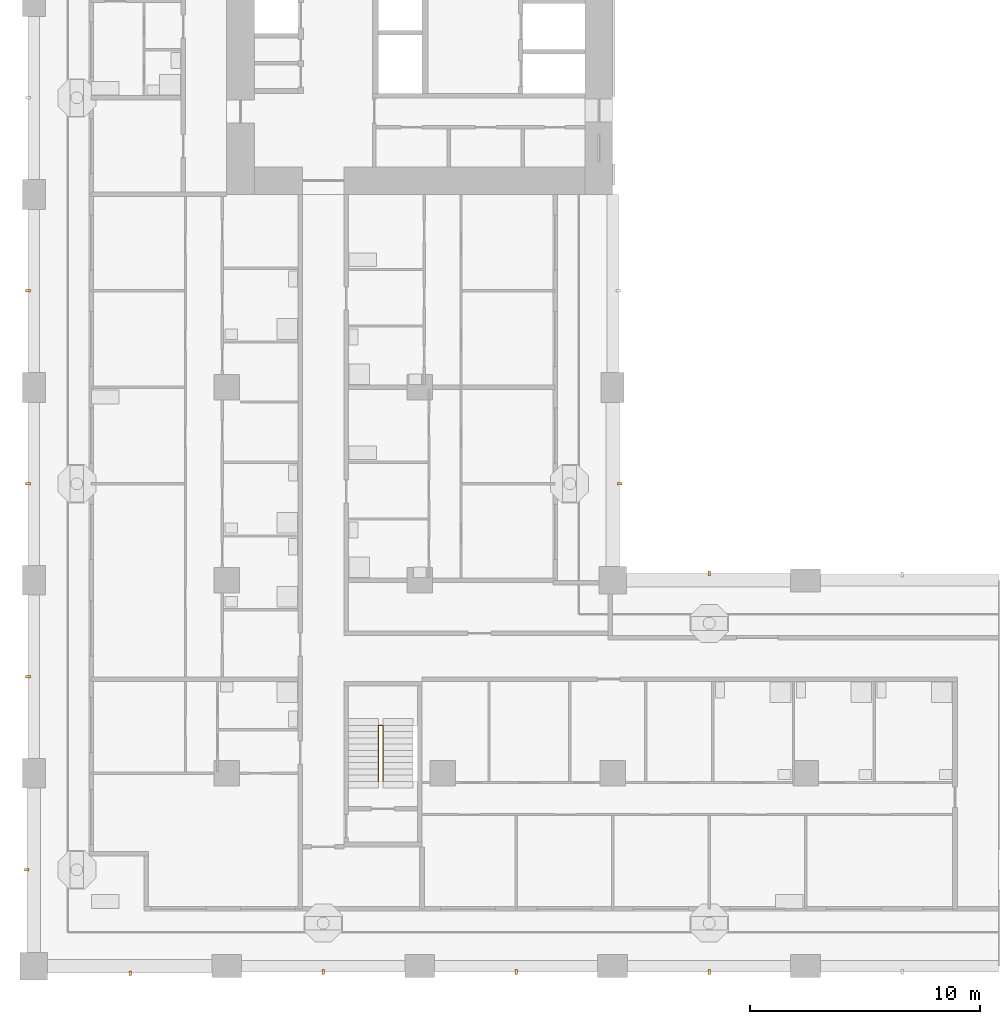
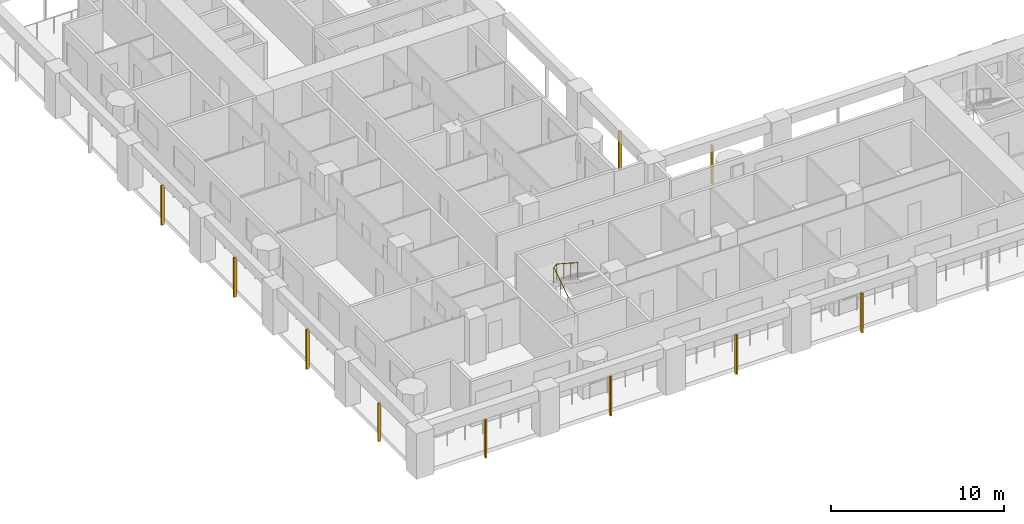
# One storey, part 10 of 19: 10 shading devices, 1 railing.
"""IFC4 building model written with IfcOpenShell, lengths in metres."""

from ifc_helpers import new_model, si_unit, direction, frame, origin, origin_2d, place, context, subcontext, project, spatial, rectangle, circle, extrude, material, material_profile, profile_set, type_object, element, save


model = new_model("IFC4")

# Units and contexts
model_context = context("Model", 3, precision=1e-05, world=origin(), true_north=direction((0.0, 1.0)))
body_context = subcontext(model_context, "Body", "Model", "MODEL_VIEW")
ifc_project = project(units=[si_unit("LENGTHUNIT", "METRE"), si_unit("AREAUNIT", "SQUARE_METRE"), si_unit("VOLUMEUNIT", "CUBIC_METRE"), si_unit("PLANEANGLEUNIT", "RADIAN"), si_unit("MASSUNIT", "GRAM", prefix="KILO")], contexts=[model_context])

# Site, building, storey
site_placement = place(None, origin())
site = spatial("IfcSite", under=ifc_project, at=site_placement, CompositionType="ELEMENT")
building_placement = place(site_placement, origin())
building = spatial("IfcBuilding", under=site, at=building_placement, Name="Vermilion Gate Residences", CompositionType="ELEMENT")
storey_placement = place(building_placement, frame((0.0, 0.0, 123.199951171875)))
storey = spatial("IfcBuildingStorey", under=building, at=storey_placement, Name="L31", CompositionType="ELEMENT", Elevation=123.199951171875)

# Railing
ifc_material_1 = material(Name="Steel S355", Category="steel")
railing_type = type_object("IfcRailingType", Name="STAIR GUARD 1100 STEEL", PredefinedType="GUARDRAIL", material=ifc_material_1)
railing_placement = place(storey_placement, frame((15.0, 16.449951171875, 0.175048828125)))
element("IfcRailing", 1, at=railing_placement, inside=storey, type_object=railing_type, Name="Stair well guard STC1-31", PredefinedType="GUARDRAIL", context=body_context, shape_type="SweptSolid", body=[
    extrude(circle(Radius=0.02392578125, at=origin_2d()), frame((0.0, 0.0, 1.076171875), z_axis=(0.0, 0.839153699163, 0.543894354798), x_axis=(-1.0, 0.0, 0.0)), (0.0, 0.0, 1.0), 2.895751953125),
    extrude(circle(Radius=0.02392578125, at=origin_2d()), frame((0.0, 2.429931640625, 2.65087890625), z_axis=(0.752405939678, 0.0, 0.658699705433), x_axis=(0.0, 1.0, 0.0)), (0.0, 0.0, 1.0), 0.265869140625),
    extrude(circle(Radius=0.02392578125, at=origin_2d()), frame((0.199951171875, 2.429931640625, 2.826171875), z_axis=(0.0, -0.839153699163, 0.543894354798), x_axis=(1.0, 0.0, 0.0)), (0.0, 0.0, 1.0), 2.895751953125),
    extrude(circle(Radius=0.02099609375, at=origin_2d()), origin(), (0.0, 0.0, 1.0), 1.052001953125),
    extrude(circle(Radius=0.02099609375, at=origin_2d()), frame((0.0, 0.81005859375, 0.52490234375)), (0.0, 0.0, 1.0), 1.052001953125),
    extrude(circle(Radius=0.02099609375, at=origin_2d()), frame((0.0, 1.619873046875, 1.050048828125)), (0.0, 0.0, 1.0), 1.052001953125),
    extrude(circle(Radius=0.02099609375, at=origin_2d()), frame((0.0, 2.429931640625, 1.574951171875)), (0.0, 0.0, 1.0), 1.052001953125),
    extrude(circle(Radius=0.02099609375, at=origin_2d()), frame((0.199951171875, 2.429931640625, 1.75)), (0.0, 0.0, 1.0), 1.052001953125),
    extrude(circle(Radius=0.02099609375, at=origin_2d()), frame((0.199951171875, 1.619873046875, 2.27490234375)), (0.0, 0.0, 1.0), 1.052001953125),
    extrude(circle(Radius=0.02099609375, at=origin_2d()), frame((0.199951171875, 0.81005859375, 2.800048828125)), (0.0, 0.0, 1.0), 1.052001953125),
    extrude(circle(Radius=0.02099609375, at=origin_2d()), frame((0.199951171875, 0.0, 3.324951171875)), (0.0, 0.0, 1.0), 1.052001953125),
])

# Shading devices
ifc_material_2 = material(Name="Extruded terracotta", Category="masonry")
ifc_material_profile = material_profile(ifc_material_2, rectangle(XDim=0.199951171875, YDim=0.10009765625, at=origin_2d()), Name="BAGUETTE 100 X 200")
ifc_profile_set = profile_set([ifc_material_profile], Name="Extruded terracotta")
shading_device_type = type_object("IfcShadingDeviceType", Name="TERRACOTTA BAGUETTE 100 X 200", PredefinedType="JALOUSIE", material=ifc_profile_set)
shading_device_placement = place(storey_placement, frame((4.199951171875, 8.10009765625, -0.280029296875), z_axis=(0.0, 0.0, 1.0), x_axis=(0.0, 1.0, 0.0)))
element("IfcShadingDevice", 2, at=shading_device_placement, inside=storey, type_object=shading_device_type, Name="BAGUETTE", PredefinedType="JALOUSIE", context=body_context, shape_type="SweptSolid", body=[
    extrude(rectangle(XDim=0.199951171875, YDim=0.10009765625, at=origin_2d()), origin(), (0.0, 0.0, 1.0), 2.7001953125),
])
for number, where, z_axis, x_axis, name in (
    (3, (12.60009765625, 8.14990234375, -0.280029296875), (0.0, 0.0, 1.0), (0.0, 1.0, 0.0), "BAGUETTE"),
    (4, (21.0, 8.14990234375, -0.280029296875), (0.0, 0.0, 1.0), (0.0, 1.0, 0.0), "BAGUETTE"),
    (5, (29.39990234375, 8.14990234375, -0.280029296875), (0.0, 0.0, 1.0), (0.0, 1.0, 0.0), "BAGUETTE"),
):
    element("IfcShadingDevice", number, at=place(storey_placement, frame(where, z_axis=z_axis, x_axis=x_axis)), inside=storey, type_object=shading_device_type, Name=name, PredefinedType="JALOUSIE", context=body_context, shape_type="SweptSolid", body=[
        extrude(rectangle(XDim=0.199951171875, YDim=0.10009765625, at=origin_2d()), origin(), (0.0, 0.0, 1.0), 2.800048828125),
    ])
for number, where, z_axis, x_axis, name in (
    (6, (29.39990234375, 25.5, -0.280029296875), (0.0, 0.0, 1.0), (0.0, -1.0, 0.0), "BAGUETTE"),
    (7, (25.5, 29.39990234375, -0.280029296875), (0.0, 0.0, 1.0), (-1.0, 0.0, 0.0), "BAGUETTE"),
    (8, (-0.300048828125, 12.60009765625, -0.280029296875), (0.0, 0.0, 1.0), (1.0, 0.0, 0.0), "BAGUETTE"),
):
    element("IfcShadingDevice", number, at=place(storey_placement, frame(where, z_axis=z_axis, x_axis=x_axis)), inside=storey, type_object=shading_device_type, Name=name, PredefinedType="JALOUSIE", context=body_context, shape_type="SweptSolid", body=[
        extrude(rectangle(XDim=0.199951171875, YDim=0.10009765625, at=origin_2d()), origin(), (0.0, 0.0, 1.0), 2.7001953125),
    ])
for number, where, z_axis, x_axis, name in (
    (9, (-0.25, 21.0, -0.280029296875), (0.0, 0.0, 1.0), (1.0, 0.0, 0.0), "BAGUETTE"),
    (10, (-0.25, 29.39990234375, -0.280029296875), (0.0, 0.0, 1.0), (1.0, 0.0, 0.0), "BAGUETTE"),
    (11, (-0.25, 37.800048828125, -0.280029296875), (0.0, 0.0, 1.0), (1.0, 0.0, 0.0), "BAGUETTE"),
):
    element("IfcShadingDevice", number, at=place(storey_placement, frame(where, z_axis=z_axis, x_axis=x_axis)), inside=storey, type_object=shading_device_type, Name=name, PredefinedType="JALOUSIE", context=body_context, shape_type="SweptSolid", body=[
        extrude(rectangle(XDim=0.199951171875, YDim=0.10009765625, at=origin_2d()), origin(), (0.0, 0.0, 1.0), 2.800048828125),
    ])

save(model, "model.ifc")
